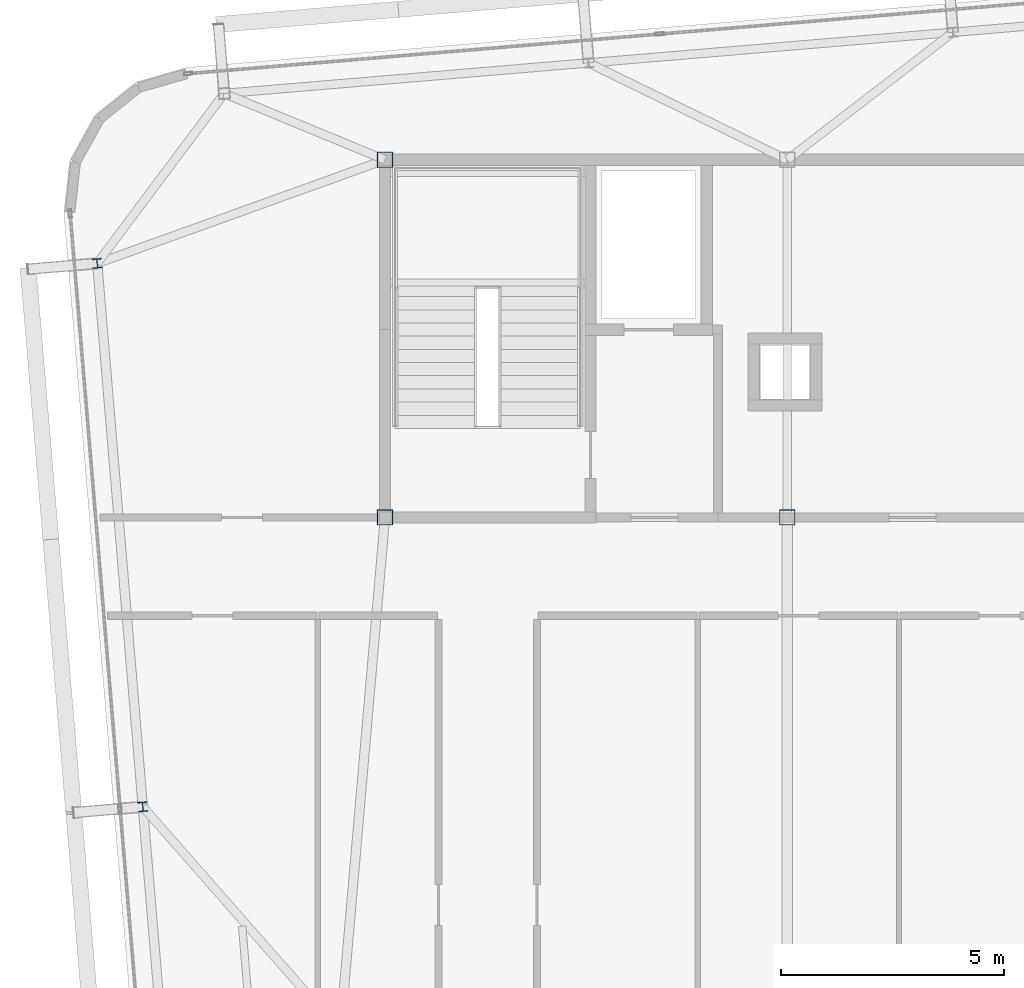
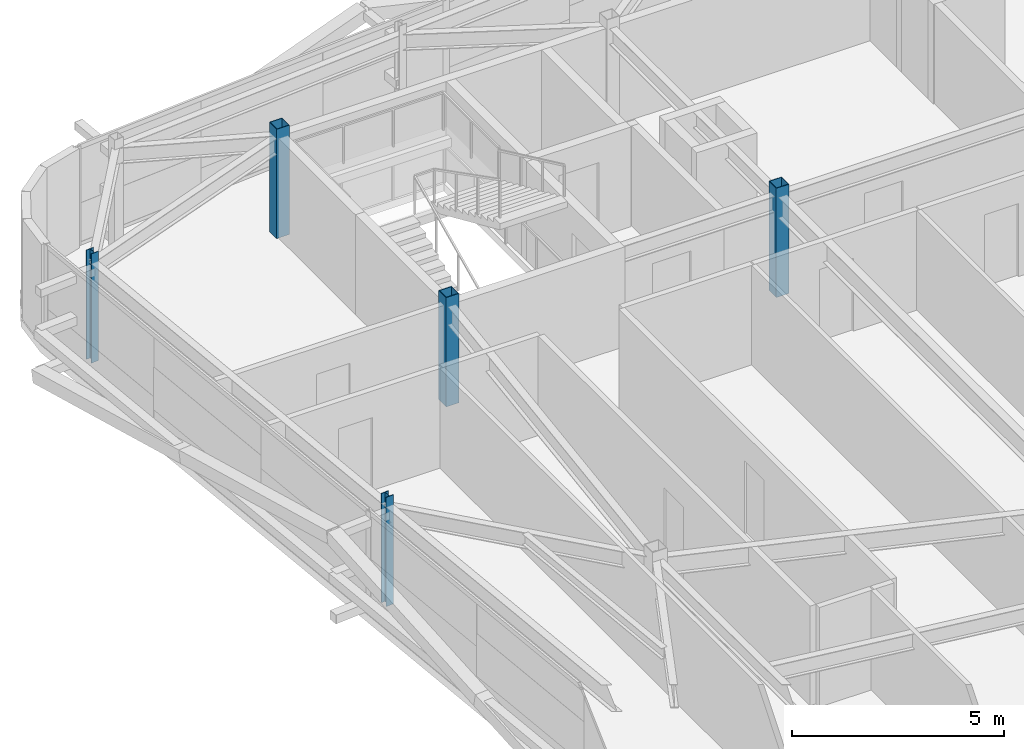
# One storey, part 2 of 39: 5 columns.
"""IFC4 building model written with IfcOpenShell, lengths in metres."""

from ifc_helpers import new_model, si_unit, direction, frame, origin, origin_2d, place, context, subcontext, project, spatial, hollow_rectangle, i_section, extrude, source, transform, mapped, material, material_profile, profile_set, type_object, element, save


model = new_model("IFC4")

# Units and contexts
model_context = context("Model", 3, precision=1e-05, world=origin(), true_north=direction((0.0, 1.0)))
body_context = subcontext(model_context, "Body", "Model", "MODEL_VIEW")
ifc_project = project(units=[si_unit("LENGTHUNIT", "METRE"), si_unit("AREAUNIT", "SQUARE_METRE"), si_unit("VOLUMEUNIT", "CUBIC_METRE"), si_unit("PLANEANGLEUNIT", "RADIAN"), si_unit("MASSUNIT", "GRAM", prefix="KILO")], contexts=[model_context])

# Site, building, storey
site_placement = place(None, origin())
site = spatial("IfcSite", under=ifc_project, at=site_placement, CompositionType="ELEMENT")
building_placement = place(site_placement, origin())
building = spatial("IfcBuilding", under=site, at=building_placement, Name="Taldren Reach Tower", CompositionType="ELEMENT")
storey_placement = place(building_placement, frame((0.0, 0.0, 204.050048828125)))
storey = spatial("IfcBuildingStorey", under=building, at=storey_placement, Name="L62", CompositionType="ELEMENT", Elevation=204.050048828125)

# Columns
ifc_material_1 = material(Name="Steel Gr 450 (C450L0)", Category="steel")
ifc_material_profile_1 = material_profile(ifc_material_1, hollow_rectangle(XDim=0.35009765625, YDim=0.35009765625, WallThickness=0.01611328125, at=origin_2d()), Name="350x350x16.0SHS")
ifc_profile_set_1 = profile_set([ifc_material_profile_1], Name="Steel Gr 450 (C450L0)")
column_type_1 = type_object("IfcColumnType", Name="COL-SHS350", PredefinedType="COLUMN", material=ifc_profile_set_1)
shared_shape_1 = source(origin(), body_context, "Body", "SweptSolid", [
    extrude(hollow_rectangle(XDim=0.35009765625, YDim=0.35009765625, WallThickness=0.01611328125, at=origin_2d()), origin(), (0.0, 0.0, 1.0), 3.14990234375),
])
for number, where, z_axis, x_axis, name in (
    (1, (19.0, 24.0, 0.0), (0.0, 0.0, 1.0), (1.0, 0.0, 0.0), "Mega column MC-C1 L62"),
    (2, (28.0, 24.0, 0.0), (0.0, 0.0, 1.0), (1.0, 0.0, 0.0), "Mega column MC-C2 L62"),
    (3, (19.0, 32.0, 0.0), (0.0, 0.0, 1.0), (1.0, 0.0, 0.0), "Mega column MC-C5 L62"),
):
    element("IfcColumn", number, at=place(storey_placement, frame(where, z_axis=z_axis, x_axis=x_axis)), inside=storey, type_object=column_type_1, Name=name, PredefinedType="COLUMN", context=body_context, shape_type="MappedRepresentation", body=[
        mapped(shared_shape_1, transform((0.0, 0.0, 0.0), scale=1.0)),
    ])
ifc_material_2 = material(Name="Steel Gr 350 (350PLUS)", Category="steel")
ifc_material_profile_2 = material_profile(ifc_material_2, i_section(OverallWidth=0.205078125, OverallDepth=0.2099609375, WebThickness=0.00927734375, FlangeThickness=0.01416015625, at=origin_2d()), Name="200UC59.5")
ifc_profile_set_2 = profile_set([ifc_material_profile_2], Name="Steel Gr 350 (350PLUS)")
column_type_2 = type_object("IfcColumnType", Name="COL-UC200", PredefinedType="COLUMN", material=ifc_profile_set_2)
shared_shape_2 = source(origin(), body_context, "Body", "SweptSolid", [
    extrude(i_section(OverallWidth=0.205078125, OverallDepth=0.2099609375, WebThickness=0.00927734375, FlangeThickness=0.01416015625, at=origin_2d()), origin(), (0.0, 0.0, 1.0), 3.14990234375),
])
for number, where, z_axis, x_axis, name in (
    (4, (13.582763671875, 17.525146484375, 0.0), (0.0, 0.0, 1.0), (0.99649285925, 0.083677843332, 0.0), "Block B4 perimeter column W2 L62"),
    (5, (12.56201171875, 29.682373046875, 0.0), (0.0, 0.0, 1.0), (0.99649285925, 0.083677843332, 0.0), "Block B4 perimeter column W3 L62"),
):
    element("IfcColumn", number, at=place(storey_placement, frame(where, z_axis=z_axis, x_axis=x_axis)), inside=storey, type_object=column_type_2, Name=name, PredefinedType="COLUMN", context=body_context, shape_type="MappedRepresentation", body=[
        mapped(shared_shape_2, transform((0.0, 0.0, 0.0), scale=1.0)),
    ])

save(model, "model.ifc")
